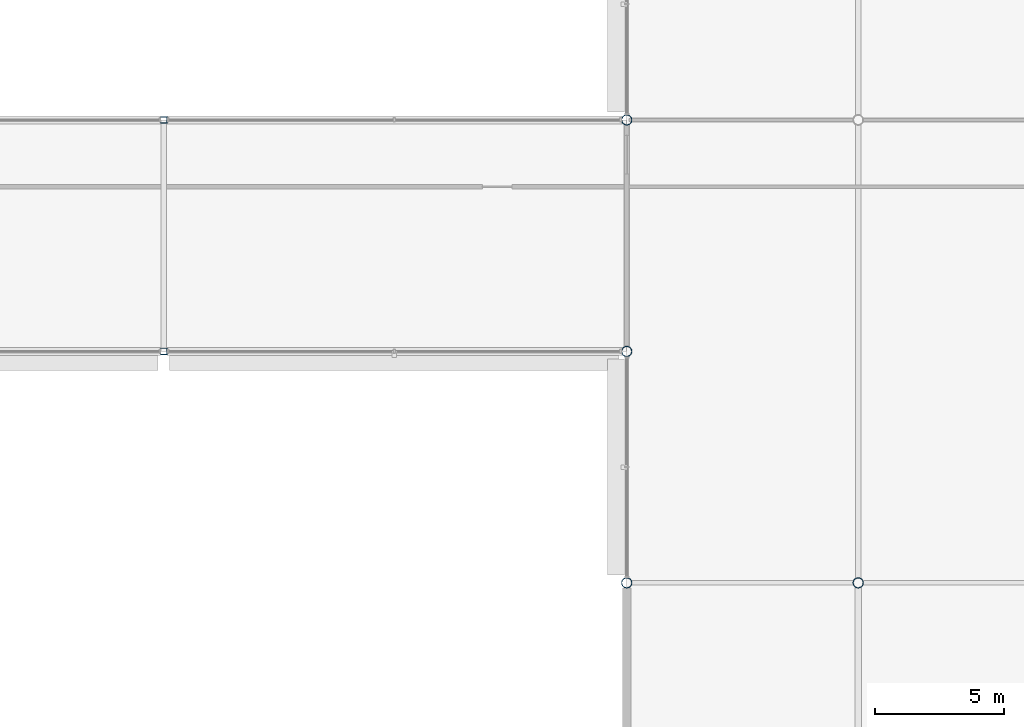
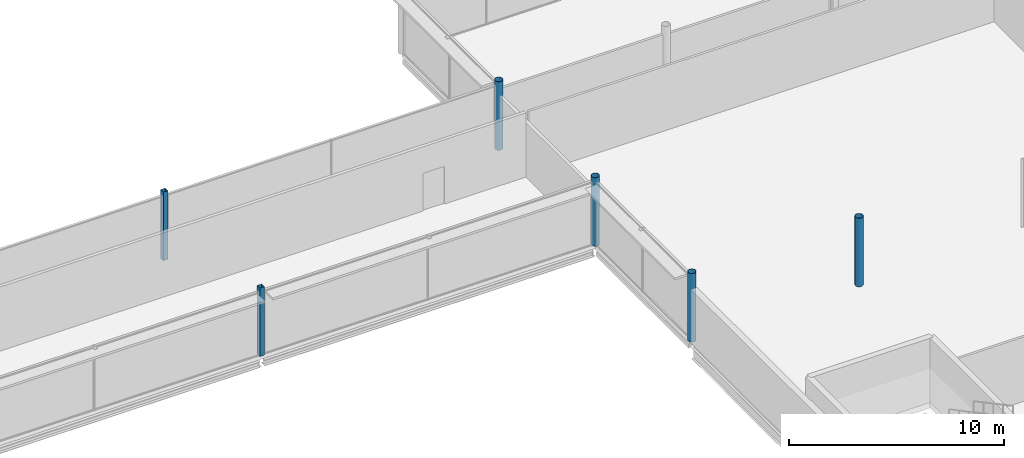
# One storey, part 14 of 96: 6 columns.
"""IFC4 building model written with IfcOpenShell, lengths in metres."""

from ifc_helpers import new_model, si_unit, direction, frame, origin, origin_2d, place, context, subcontext, project, spatial, hollow_rectangle, hollow_circle, extrude, material, material_profile, profile_set, type_object, element, save


model = new_model("IFC4")

# Units and contexts
model_context = context("Model", 3, precision=1e-05, world=origin(), true_north=direction((0.0, 1.0)))
body_context = subcontext(model_context, "Body", "Model", "MODEL_VIEW")
ifc_project = project(units=[si_unit("LENGTHUNIT", "METRE"), si_unit("AREAUNIT", "SQUARE_METRE"), si_unit("VOLUMEUNIT", "CUBIC_METRE"), si_unit("PLANEANGLEUNIT", "RADIAN"), si_unit("MASSUNIT", "GRAM", prefix="KILO")], contexts=[model_context])

# Site, building, storey
site_placement = place(None, origin())
site = spatial("IfcSite", under=ifc_project, at=site_placement, CompositionType="ELEMENT")
building_placement = place(site_placement, origin())
building = spatial("IfcBuilding", under=site, at=building_placement, Name="Kisiwana Market Hall", CompositionType="ELEMENT")
storey_placement = place(building_placement, frame((0.0, 0.0, 25.5)))
storey = spatial("IfcBuildingStorey", under=building, at=storey_placement, Name="L05", CompositionType="ELEMENT", Elevation=25.5)

# Columns
ifc_material_1 = material(Name="Steel S355", Category="steel")
ifc_material_profile_1 = material_profile(ifc_material_1, hollow_circle(Radius=0.203125, WallThickness=0.01611328125, at=origin_2d()), Name="CHS 406.4x16")
ifc_profile_set_1 = profile_set([ifc_material_profile_1], Name="Steel S355")
column_type_1 = type_object("IfcColumnType", Name="COL-STL-CHS406", PredefinedType="COLUMN", material=ifc_profile_set_1)
for number, where, z_axis, x_axis, name in (
    (1, (153.0, 84.0, 0.0), (0.0, 0.0, 1.0), (1.0, 0.0, 0.0), "Column L/18 (L05) C-0942"),
    (2, (153.0, 93.0, 0.0), (0.0, 0.0, 1.0), (1.0, 0.0, 0.0), "Column M/18 (L05) C-0943"),
    (3, (153.0, 102.0, 0.0), (0.0, 0.0, 1.0), (1.0, 0.0, 0.0), "Column N/18 (L05) C-0944"),
    (4, (162.0, 84.0, 0.0), (0.0, 0.0, 1.0), (1.0, 0.0, 0.0), "Column L/19 (L05) C-0949"),
):
    element("IfcColumn", number, at=place(storey_placement, frame(where, z_axis=z_axis, x_axis=x_axis)), inside=storey, type_object=column_type_1, Name=name, PredefinedType="COLUMN", context=body_context, shape_type="SweptSolid", body=[
        extrude(hollow_circle(Radius=0.203125, WallThickness=0.01611328125, at=origin_2d()), origin(), (0.0, 0.0, 1.0), 3.89990234375),
    ])
ifc_material_2 = material(Name="Steel S355", Category="steel")
ifc_material_profile_2 = material_profile(ifc_material_2, hollow_rectangle(XDim=0.25, YDim=0.25, WallThickness=0.012451171875, at=origin_2d()), Name="SHS 250x250x12.5")
ifc_profile_set_2 = profile_set([ifc_material_profile_2], Name="Steel S355")
column_type_2 = type_object("IfcColumnType", Name="COL-STL-SHS250", PredefinedType="COLUMN", material=ifc_profile_set_2)
for number, where, z_axis, x_axis, name in (
    (5, (135.0, 93.0, 0.0), (0.0, 0.0, 1.0), (1.0, 0.0, 0.0), "Column M/16 (L05) C-0935"),
    (6, (135.0, 102.0, 0.0), (0.0, 0.0, 1.0), (1.0, 0.0, 0.0), "Column N/16 (L05) C-0936"),
):
    element("IfcColumn", number, at=place(storey_placement, frame(where, z_axis=z_axis, x_axis=x_axis)), inside=storey, type_object=column_type_2, Name=name, PredefinedType="COLUMN", context=body_context, shape_type="SweptSolid", body=[
        extrude(hollow_rectangle(XDim=0.25, YDim=0.25, WallThickness=0.012451171875, at=origin_2d()), origin(), (0.0, 0.0, 1.0), 3.89990234375),
    ])

save(model, "model.ifc")
